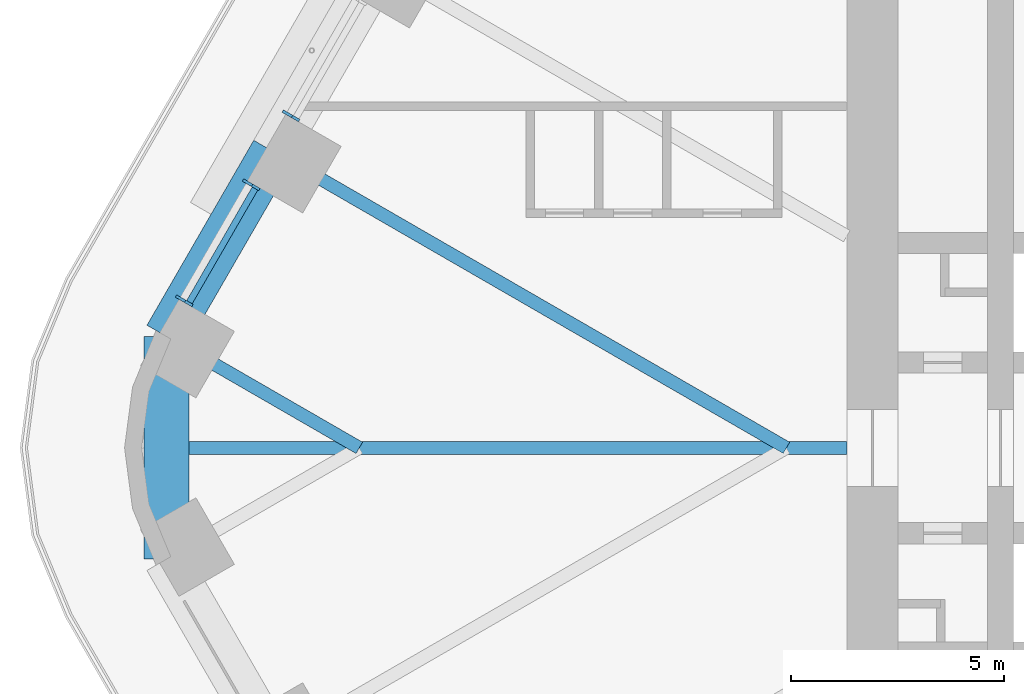
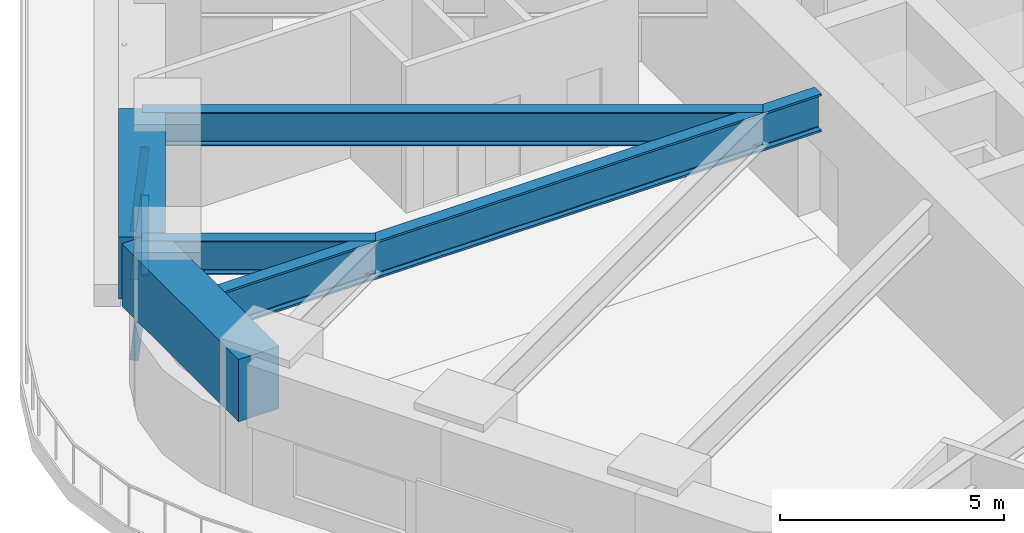
# One storey, part 6 of 24: 5 beams, 4 members, 2 elements without a shape of their own.
"""IFC4 building model written with IfcOpenShell, lengths in metres."""

from ifc_helpers import new_model, si_unit, direction, frame, origin, origin_2d, place, context, subcontext, project, spatial, rectangle, i_section, extrude, material, material_profile, profile_set, type_object, element, aggregate, save


model = new_model("IFC4")

# Units and contexts
model_context = context("Model", 3, precision=1e-05, world=origin(), true_north=direction((0.0, 1.0)))
body_context = subcontext(model_context, "Body", "Model", "MODEL_VIEW")
ifc_project = project(units=[si_unit("LENGTHUNIT", "METRE"), si_unit("AREAUNIT", "SQUARE_METRE"), si_unit("VOLUMEUNIT", "CUBIC_METRE"), si_unit("PLANEANGLEUNIT", "RADIAN"), si_unit("MASSUNIT", "GRAM", prefix="KILO")], contexts=[model_context])

# Site, building, storey
site_placement = place(None, origin())
site = spatial("IfcSite", under=ifc_project, at=site_placement, CompositionType="ELEMENT")
building_placement = place(site_placement, origin())
building = spatial("IfcBuilding", under=site, at=building_placement, Name="Tarfa Lantern Tower", CompositionType="ELEMENT")
storey_placement = place(building_placement, frame((0.0, 0.0, 132.10009765625)))
storey = spatial("IfcBuildingStorey", under=building, at=storey_placement, Name="L29", CompositionType="ELEMENT", Elevation=132.10009765625)

# Curtain wall, member
ifc_material_1 = material(Name="Aluminium framed curtain wall", Category="aluminium")
curtain_wall_type = type_object("IfcCurtainWallType", Name="CW2 CANTED GLAZING MID ZONE 2300", PredefinedType="USERDEFINED", material=ifc_material_1)
curtain_wall_1_placement = place(storey_placement, origin())
curtain_wall_1 = element("IfcCurtainWall", 1, at=curtain_wall_1_placement, inside=storey, type_object=curtain_wall_type, Name="CW2 NWB L29", ObjectType="CURTAIN WALL", PredefinedType="USERDEFINED")
ifc_material_2 = material(Name="Aluminium mullion", Category="aluminium")
ifc_material_profile_1 = material_profile(ifc_material_2, rectangle(XDim=0.06494140625, YDim=0.199951171875, at=origin_2d()), Name="AL MULLION 65x200")
ifc_profile_set_1 = profile_set([ifc_material_profile_1], Name="Aluminium mullion")
member_type_1 = type_object("IfcMemberType", Name="CWM1 MULLION 65x200", PredefinedType="MULLION", material=ifc_profile_set_1)
member_1_placement = place(storey_placement, frame((-31.730712890625, 7.8408203125, 0.0), z_axis=(0.093609724986, -0.054034023893, 0.994141611467), x_axis=(0.499919672301, 0.866071776036, 0.0)))
member_1 = element("IfcMember", 2, at=member_1_placement, type_object=member_type_1, Name="CW2 mullion 2", PredefinedType="MULLION", context=body_context, shape_type="SweptSolid", body=[
    extrude(rectangle(XDim=0.06494140625, YDim=0.199951171875, at=origin_2d()), origin(), (0.0, 0.0, 1.0), 2.3134765625),
])
aggregate(curtain_wall_1, [member_1])

# Curtain wall, members
curtain_wall_2_placement = place(storey_placement, origin())
curtain_wall_2 = element("IfcCurtainWall", 3, at=curtain_wall_2_placement, inside=storey, type_object=curtain_wall_type, Name="CW2 NWB L29", ObjectType="CURTAIN WALL", PredefinedType="USERDEFINED")
member_2_placement = place(storey_placement, frame((-32.6630859375, 6.225830078125, 0.0), z_axis=(0.093609724986, -0.054034023893, 0.994141611467), x_axis=(0.499919672301, 0.866071776036, 0.0)))
member_2 = element("IfcMember", 4, at=member_2_placement, type_object=member_type_1, Name="CW2 mullion 1", PredefinedType="MULLION", context=body_context, shape_type="SweptSolid", body=[
    extrude(rectangle(XDim=0.06494140625, YDim=0.199951171875, at=origin_2d()), origin(), (0.0, 0.0, 1.0), 2.3134765625),
])
member_3_placement = place(storey_placement, frame((-34.232421875, 3.507568359375, 0.0), z_axis=(0.093505113016, -0.054034557409, 0.994151427322), x_axis=(0.500342721131, 0.865827443207, 0.0)))
member_3 = element("IfcMember", 5, at=member_3_placement, type_object=member_type_1, Name="CW2 mullion 2", PredefinedType="MULLION", context=body_context, shape_type="SweptSolid", body=[
    extrude(rectangle(XDim=0.06494140625, YDim=0.199951171875, at=origin_2d()), origin(), (0.0, 0.0, 1.0), 2.313232421875),
])
ifc_material_3 = material(Name="Aluminium transom", Category="aluminium")
ifc_material_profile_2 = material_profile(ifc_material_3, rectangle(XDim=0.14990234375, YDim=0.06494140625, at=origin_2d()), Name="AL TRANSOM 150x65")
ifc_profile_set_2 = profile_set([ifc_material_profile_2], Name="Aluminium transom")
member_type_2 = type_object("IfcMemberType", Name="CWT1 TRANSOM 150x65", PredefinedType="USERDEFINED", material=ifc_profile_set_2)
member_4_placement = place(storey_placement, frame((-32.466064453125, 6.074462890625, 2.267333984375), z_axis=(-0.499949361699, -0.866054637847, 0.0), x_axis=(0.866054637847, -0.499949361699, 0.0)))
member_4 = element("IfcMember", 6, at=member_4_placement, type_object=member_type_2, Name="CW2 transom 1.2", ObjectType="TRANSOM", PredefinedType="USERDEFINED", context=body_context, shape_type="SweptSolid", body=[
    extrude(rectangle(XDim=0.14990234375, YDim=0.06494140625, at=origin_2d()), origin(), (0.0, 0.0, 1.0), 3.073486328125),
])
aggregate(curtain_wall_2, [member_2, member_3, member_4])

# Beams
ifc_material_4 = material(Name="Concrete C80/95", Category="concrete")
ifc_material_profile_3 = material_profile(ifc_material_4, rectangle(XDim=1.050048828125, YDim=1.699951171875, at=origin_2d()), Name="RC 1050x1700")
ifc_profile_set_3 = profile_set([ifc_material_profile_3], Name="Concrete C80/95")
beam_type_1 = type_object("IfcBeamType", Name="RB2 RC 1050x1700", PredefinedType="BEAM", material=ifc_profile_set_3)
beam_1_placement = place(storey_placement, frame((-32.041015625, 6.943359375, 3.14990234375), z_axis=(-0.500022324899, -0.866012514114, 0.0), x_axis=(0.866012514114, -0.500022324899, 0.0)))
element("IfcBeam", 7, at=beam_1_placement, inside=storey, type_object=beam_type_1, Name="Edge beam NW5", PredefinedType="BEAM", context=body_context, shape_type="SweptSolid", body=[
    extrude(rectangle(XDim=1.050048828125, YDim=1.699951171875, at=origin_2d()), origin(), (0.0, 0.0, 1.0), 5.003662109375),
])
beam_2_placement = place(storey_placement, frame((-34.54296875, 2.610107421875, 3.14990234375), z_axis=(0.0, -1.0, 0.0), x_axis=(1.0, 0.0, 0.0)))
element("IfcBeam", 8, at=beam_2_placement, inside=storey, type_object=beam_type_1, Name="Edge beam NW6", PredefinedType="BEAM", context=body_context, shape_type="SweptSolid", body=[
    extrude(rectangle(XDim=1.050048828125, YDim=1.699951171875, at=origin_2d()), origin(), (0.0, 0.0, 1.0), 5.22021484375),
])
ifc_material_5 = material(Name="Steel S460M", Category="steel")
ifc_material_profile_4 = material_profile(ifc_material_5, i_section(OverallWidth=0.30859375, OverallDepth=1.036376953125, WebThickness=0.030029296875, FlangeThickness=0.05419921875, FilletRadius=0.030029296875, at=origin_2d()), Name="UB1016x305x487")
ifc_profile_set_4 = profile_set([ifc_material_profile_4], Name="Steel S460M")
beam_type_2 = type_object("IfcBeamType", Name="UB1016x305x487", PredefinedType="BEAM", material=ifc_profile_set_4)
beam_3_placement = place(storey_placement, frame((-18.60009765625, 0.0, 3.481689453125), z_axis=(-1.0, 0.0, 0.0), x_axis=(0.0, -1.0, 0.0)))
element("IfcBeam", 9, at=beam_3_placement, inside=storey, type_object=beam_type_2, Name="Hip girder W", PredefinedType="BEAM", context=body_context, shape_type="SweptSolid", body=[
    extrude(i_section(OverallWidth=0.30859375, OverallDepth=1.036376953125, WebThickness=0.030029296875, FlangeThickness=0.05419921875, FilletRadius=0.030029296875, at=origin_2d()), origin(), (0.0, 0.0, 1.0), 15.94287109375),
])
ifc_material_profile_5 = material_profile(ifc_material_5, i_section(OverallWidth=0.305419921875, OverallDepth=0.91845703125, WebThickness=0.017333984375, FlangeThickness=0.02783203125, FilletRadius=0.01904296875, at=origin_2d()), Name="UB914x305x253")
ifc_profile_set_5 = profile_set([ifc_material_profile_5], Name="Steel S460M")
beam_type_3 = type_object("IfcBeamType", Name="UB914x305x253", PredefinedType="BEAM", material=ifc_profile_set_5)
beam_4_placement = place(storey_placement, frame((-32.041015625, 6.943359375, 3.540771484375), z_axis=(0.866023096411, -0.500003996466, 0.0), x_axis=(0.500003996466, 0.866023096411, 0.0)))
element("IfcBeam", 10, at=beam_4_placement, inside=storey, type_object=beam_type_3, Name="Floor beam NW5", PredefinedType="BEAM", context=body_context, shape_type="SweptSolid", body=[
    extrude(i_section(OverallWidth=0.305419921875, OverallDepth=0.91845703125, WebThickness=0.017333984375, FlangeThickness=0.02783203125, FilletRadius=0.01904296875, at=origin_2d()), origin(), (0.0, 0.0, 1.0), 13.88671875),
])
beam_5_placement = place(storey_placement, frame((-34.54296875, 2.610107421875, 3.540771484375), z_axis=(0.866021250859, -0.500007193008, 0.0), x_axis=(0.500007193008, 0.866021250859, 0.0)))
element("IfcBeam", 11, at=beam_5_placement, inside=storey, type_object=beam_type_3, Name="Floor beam NW6", PredefinedType="BEAM", context=body_context, shape_type="SweptSolid", body=[
    extrude(i_section(OverallWidth=0.305419921875, OverallDepth=0.91845703125, WebThickness=0.017333984375, FlangeThickness=0.02783203125, FilletRadius=0.01904296875, at=origin_2d()), origin(), (0.0, 0.0, 1.0), 5.22021484375),
])

save(model, "model.ifc")
